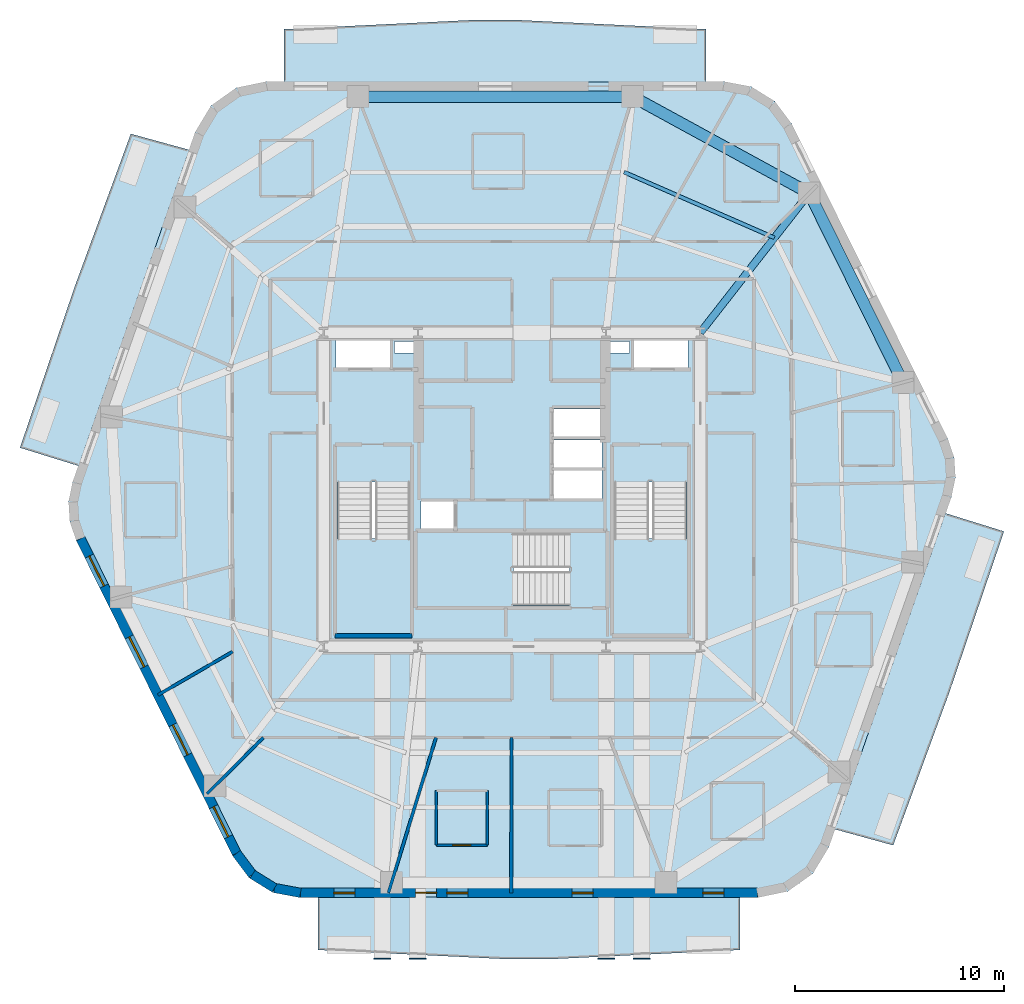
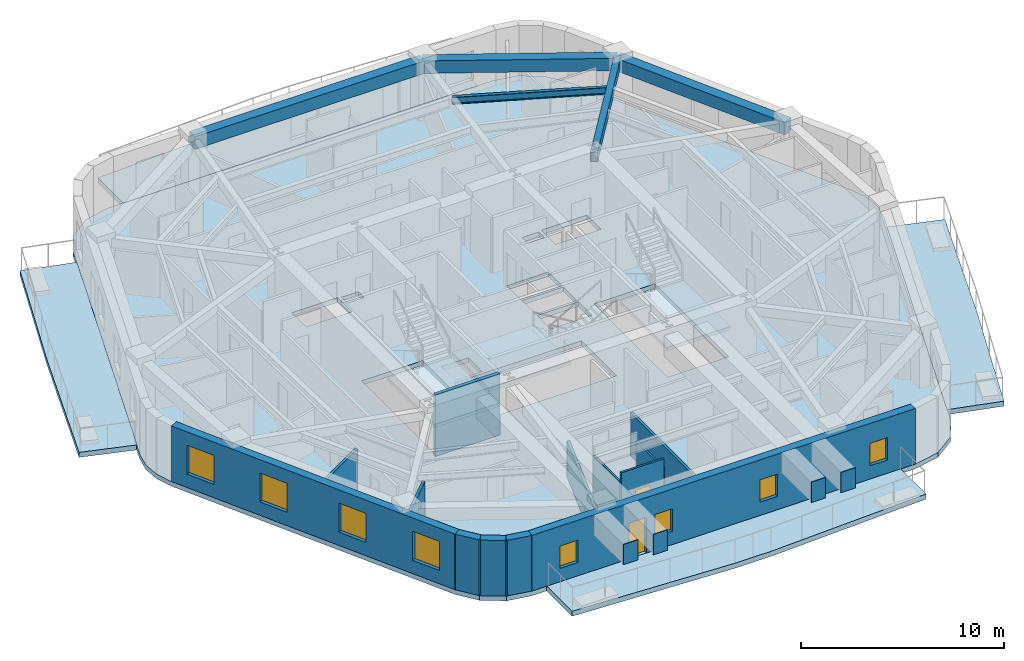
# One storey, part 2 of 11: 13 walls, 8 slabs, 8 windows, 5 beams, 4 plates, 2 doors, 10 openings, 3 elements without a shape of their own.
"""IFC4 building model written with IfcOpenShell, lengths in metres."""

import ifcopenshell
import ifcopenshell.guid

model = None  # the IFC model being written
_history = None  # IfcOwnerHistory: only IFC2X3 demands one
_inside = {}  # id of a spatial element -> (the spatial element, [elements in it])
_under = {}  # id of a project, library or spatial element -> (it, [spatial elements below it])
_declared = {}  # id of a project -> (the project, [libraries it declares])
_typed = {}  # id of a type object -> (the type object, [elements of that type])
_made_of = {}  # id of a material, layer set ... -> (it, [elements and type objects made of it])


def new_model(schema):
    """Start an empty IFC model of exactly this schema.

    Asked for "IFC4X3", IfcOpenShell would pick the latest addendum, in which some entities
    have other attributes; the version numbers below select the first issue.
    IFC2X3 requires an IfcOwnerHistory on every rooted entity: one is made here for all.
    """
    global model, _history
    if schema == "IFC4X3":
        model = ifcopenshell.file(schema_version=(4, 3, 0, 0))
    else:
        model = ifcopenshell.file(schema=schema)
    _inside.clear()
    _under.clear()
    _declared.clear()
    _typed.clear()
    _made_of.clear()
    _history = None
    if model.schema == "IFC2X3":
        org = make("IfcOrganization", Name="unknown")
        user = make(
            "IfcPersonAndOrganization",
            ThePerson=make("IfcPerson", FamilyName="unknown"),
            TheOrganization=org,
        )
        app = make(
            "IfcApplication",
            ApplicationDeveloper=org,
            Version="unknown",
            ApplicationFullName="unknown",
            ApplicationIdentifier="unknown",
        )
        _history = make(
            "IfcOwnerHistory",
            OwningUser=user,
            OwningApplication=app,
            ChangeAction="ADDED",
            CreationDate=0,
        )
    return model


def make(cls, **values):
    """One entity of the class cls with the attributes given. An attribute that is None is left unset."""
    return model.create_entity(
        cls, **{name: value for name, value in values.items() if value is not None}
    )


def rooted(cls, **values):
    """An entity with a GlobalId (a new one), such as an element, a storey or a relation."""
    return make(cls, GlobalId=ifcopenshell.guid.new(), OwnerHistory=_history, **values)


def si_unit(unit_type, name, prefix=None):
    """IfcSIUnit, for example si_unit("LENGTHUNIT", "METRE", prefix="MILLI")."""
    return make("IfcSIUnit", UnitType=unit_type, Prefix=prefix, Name=name)


def assignment(units):
    """IfcUnitAssignment: the units of a project."""
    return None if units is None else make("IfcUnitAssignment", Units=units)


def point(xyz):
    """IfcCartesianPoint."""
    return None if xyz is None else make("IfcCartesianPoint", Coordinates=xyz)


def direction(xyz):
    """IfcDirection."""
    return None if xyz is None else make("IfcDirection", DirectionRatios=xyz)


def frame(location, z_axis=None, x_axis=None):
    """IfcAxis2Placement3D, a coordinate frame: its origin and axes. An axis left out is left unset."""
    return make(
        "IfcAxis2Placement3D",
        Location=point(location),
        Axis=direction(z_axis),
        RefDirection=direction(x_axis),
    )


def frame_2d(location, x_axis=None):
    """IfcAxis2Placement2D, a coordinate frame in the plane: its origin and x axis."""
    return make(
        "IfcAxis2Placement2D", Location=point(location), RefDirection=direction(x_axis)
    )


def origin():
    """The frame at (0, 0, 0) with its axes left unset."""
    return frame((0.0, 0.0, 0.0))


def origin_2d():
    """The frame at (0, 0) in the plane with its x axis left unset."""
    return frame_2d((0.0, 0.0))


def place(relative_to, where):
    """IfcLocalPlacement: puts the frame where relative to a parent placement (None: the world)."""
    return make(
        "IfcLocalPlacement", PlacementRelTo=relative_to, RelativePlacement=where
    )


def context(
    kind, dimensions, precision=None, world=None, true_north=None, identifier=None
):
    """IfcGeometricRepresentationContext, for example the 3D "Model" context."""
    return make(
        "IfcGeometricRepresentationContext",
        ContextIdentifier=identifier,
        ContextType=kind,
        CoordinateSpaceDimension=dimensions,
        Precision=precision,
        WorldCoordinateSystem=world,
        TrueNorth=true_north,
    )


def subcontext(parent, identifier, kind, view, scale=None):
    """IfcGeometricRepresentationSubContext, for example "Body" below "Model"."""
    return make(
        "IfcGeometricRepresentationSubContext",
        ContextIdentifier=identifier,
        ContextType=kind,
        ParentContext=parent,
        TargetScale=scale,
        TargetView=view,
    )


def project(units=None, contexts=None):
    """IfcProject with its units and contexts."""
    return rooted(
        "IfcProject",
        Name="project",
        RepresentationContexts=contexts,
        UnitsInContext=assignment(units),
    )


def spatial(cls, under=None, at=None, **own):
    """A site, building, storey or space (cls), placed at a placement, below another one or the project."""
    s = rooted(cls, ObjectPlacement=at, **own)
    if under is not None:
        _under.setdefault(under.id(), (under, []))[1].append(s)
    return s


def polyline(points):
    """IfcPolyline through the points."""
    return make("IfcPolyline", Points=[point(p) for p in points])


def profile(cls, at=None, kind="AREA", **sizes):
    """A parametric profile (cls). Its sizes go by their IFC names, for example OverallWidth=200.0."""
    return make(cls, ProfileType=kind, Position=at, **sizes)


def rectangle(**sizes):
    """IfcRectangleProfileDef."""
    return profile("IfcRectangleProfileDef", **sizes)


def i_section(**sizes):
    """IfcIShapeProfileDef."""
    return profile("IfcIShapeProfileDef", **sizes)


def outline(outer, holes=None, kind="AREA"):
    """IfcArbitraryClosedProfileDef: a profile drawn as a closed curve; with holes, ...WithVoids."""
    if holes is None:
        return make("IfcArbitraryClosedProfileDef", ProfileType=kind, OuterCurve=outer)
    return make(
        "IfcArbitraryProfileDefWithVoids",
        ProfileType=kind,
        OuterCurve=outer,
        InnerCurves=holes,
    )


def extrude(swept, where, along, depth):
    """IfcExtrudedAreaSolid: the profile swept, set in the frame where, extruded along a direction by depth."""
    return make(
        "IfcExtrudedAreaSolid",
        SweptArea=swept,
        Position=where,
        ExtrudedDirection=direction(along),
        Depth=depth,
    )


def shape(context_of_items, identifier, shape_type, items):
    """IfcShapeRepresentation: the items that make up one representation, for example the "Body"."""
    return make(
        "IfcShapeRepresentation",
        ContextOfItems=context_of_items,
        RepresentationIdentifier=identifier,
        RepresentationType=shape_type,
        Items=items,
    )


def material(Name=None, Category=None):
    """IfcMaterial."""
    return make("IfcMaterial", Name=Name, Category=Category)


def layer(
    of_material, thickness, ventilated=None, Name=None, Category=None, Priority=None
):
    """IfcMaterialLayer: one layer of a wall or slab, of a material (None: an air gap)."""
    return make(
        "IfcMaterialLayer",
        Material=of_material,
        LayerThickness=thickness,
        IsVentilated=ventilated,
        Name=Name,
        Category=Category,
        Priority=Priority,
    )


def layer_set(layers, Name=None):
    """IfcMaterialLayerSet."""
    return make("IfcMaterialLayerSet", MaterialLayers=layers, LayerSetName=Name)


def material_profile(
    of_material, cross_section, Name=None, Category=None, Priority=None
):
    """IfcMaterialProfile: a cross section and its material."""
    return make(
        "IfcMaterialProfile",
        Name=Name,
        Material=of_material,
        Profile=cross_section,
        Priority=Priority,
        Category=Category,
    )


def profile_set(profiles, Name=None, composite=None):
    """IfcMaterialProfileSet."""
    return make(
        "IfcMaterialProfileSet",
        Name=Name,
        MaterialProfiles=profiles,
        CompositeProfile=composite,
    )


def made_of(thing, what):
    """Note that an element or type object is made of a material, layer set ...; save() writes the relation."""
    if what is not None:
        _made_of.setdefault(what.id(), (what, []))[1].append(thing)
    return thing


def type_object(cls, material=None, **own):
    """A type object (cls), such as IfcWallType, which elements share."""
    return made_of(rooted(cls, **own), material)


def element(
    cls,
    number,
    at=None,
    inside=None,
    cuts=None,
    type_object=None,
    material=None,
    context=None,
    identifier="Body",
    shape_type=None,
    held_by="IfcProductDefinitionShape",
    body=None,
    shapes=None,
    **own,
):
    """One element of the class cls, such as IfcWall. Its Tag is "e" and its number.

    at: its placement. inside: the storey or other place that contains it. cuts: it is an
    opening in that element (IfcRelVoidsElement). A single representation is given by context,
    identifier, shape_type and body (its items); several are given by shapes. held_by: the class
    of the entity that holds the representations. save() writes the other relations.
    """
    e = rooted(cls, Tag="e%d" % number, ObjectPlacement=at, **own)
    if body is not None:
        shapes = [shape(context, identifier, shape_type, body)]
    if shapes is not None:
        e.Representation = make(held_by, Representations=shapes)
    if inside is not None:
        _inside.setdefault(inside.id(), (inside, []))[1].append(e)
    if cuts is not None:
        rooted(
            "IfcRelVoidsElement", RelatingBuildingElement=cuts, RelatedOpeningElement=e
        )
    if type_object is not None:
        _typed.setdefault(type_object.id(), (type_object, []))[1].append(e)
    return made_of(e, material)


def fill(opening, filler):
    """IfcRelFillsElement: the door or window that sits in an opening."""
    return rooted(
        "IfcRelFillsElement",
        RelatingOpeningElement=opening,
        RelatedBuildingElement=filler,
    )


def aggregate(whole, parts):
    """IfcRelAggregates: a whole, such as a stair, and the parts it consists of."""
    return rooted("IfcRelAggregates", RelatingObject=whole, RelatedObjects=parts)


def save(model, path):
    """Write the relations noted so far, then the file.

    IfcRelAggregates (storeys below a building ...), IfcRelContainedInSpatialStructure (elements
    in a storey), IfcRelDefinesByType, IfcRelAssociatesMaterial and IfcRelDeclares: one each for
    every whole, place, type object, material and project.
    """
    for whole, parts in _under.values():
        aggregate(whole, parts)
    for where, things in _inside.values():
        rooted(
            "IfcRelContainedInSpatialStructure",
            RelatedElements=things,
            RelatingStructure=where,
        )
    for kind, things in _typed.values():
        rooted("IfcRelDefinesByType", RelatedObjects=things, RelatingType=kind)
    for what, things in _made_of.values():
        rooted("IfcRelAssociatesMaterial", RelatedObjects=things, RelatingMaterial=what)
    for by, libraries in _declared.values():
        rooted("IfcRelDeclares", RelatingContext=by, RelatedDefinitions=libraries)
    model.write(path)


model = new_model("IFC4")

# Units and contexts
model_context = context("Model", 3, precision=1e-05, world=origin(), true_north=direction((0.0, 1.0)))
body_context = subcontext(model_context, "Body", "Model", "MODEL_VIEW")
ifc_project = project(units=[si_unit("LENGTHUNIT", "METRE"), si_unit("AREAUNIT", "SQUARE_METRE"), si_unit("VOLUMEUNIT", "CUBIC_METRE"), si_unit("PLANEANGLEUNIT", "RADIAN"), si_unit("MASSUNIT", "GRAM", prefix="KILO")], contexts=[model_context])

# Site, building, storey
site_placement = place(None, origin())
site = spatial("IfcSite", under=ifc_project, at=site_placement, CompositionType="ELEMENT")
building_placement = place(site_placement, origin())
building = spatial("IfcBuilding", under=site, at=building_placement, Name="Kilnhurst Terrace Hotel", CompositionType="ELEMENT")
storey_placement = place(building_placement, frame((0.0, 0.0, 197.800048828125)))
storey = spatial("IfcBuildingStorey", under=building, at=storey_placement, Name="L49", CompositionType="ELEMENT", Elevation=197.800048828125)

# Beams
ifc_material_1 = material(Name="Concrete C50/60", Category="concrete")
ifc_material_profile_1 = material_profile(ifc_material_1, rectangle(XDim=0.35009765625, YDim=0.550048828125, at=origin_2d()), Name="RC350X550")
ifc_profile_set_1 = profile_set([ifc_material_profile_1], Name="Concrete C50/60")
beam_type_1 = type_object("IfcBeamType", Name="BM-RAD-350X550", PredefinedType="BEAM", material=ifc_profile_set_1)
beam_1_placement = place(storey_placement, frame((9.0, 7.5, 3.074951171875), z_axis=(0.615370616457, 0.78823791104, 0.0), x_axis=(-0.78823791104, 0.615370616457, 0.0)))
element("IfcBeam", 1, at=beam_1_placement, inside=storey, type_object=beam_type_1, Name="L49 Radial Floor Beam 6", PredefinedType="BEAM", context=body_context, shape_type="SweptSolid", body=[
    extrude(rectangle(XDim=0.35009765625, YDim=0.550048828125, at=origin_2d()), origin(), (0.0, 0.0, 1.0), 8.456787109375),
])
ifc_material_profile_2 = material_profile(ifc_material_1, rectangle(XDim=0.550048828125, YDim=0.75, at=origin_2d()), Name="RC550X750")
ifc_profile_set_2 = profile_set([ifc_material_profile_2], Name="Concrete C50/60")
beam_type_2 = type_object("IfcBeamType", Name="BM-SPN-550X750", PredefinedType="SPANDREL", material=ifc_profile_set_2)
beam_2_placement = place(storey_placement, frame((18.68701171875, 5.1240234375, 2.974853515625), z_axis=(-0.444192032261, 0.895931603682, 0.0), x_axis=(-0.895931603682, -0.444192032261, 0.0)))
element("IfcBeam", 2, at=beam_2_placement, inside=storey, type_object=beam_type_2, Name="L49 Perimeter Spandrel Beam 5", PredefinedType="SPANDREL", context=body_context, shape_type="SweptSolid", body=[
    extrude(rectangle(XDim=0.550048828125, YDim=0.75, at=origin_2d()), origin(), (0.0, 0.0, 1.0), 10.09228515625),
])
beam_3_placement = place(storey_placement, frame((14.2041015625, 14.166015625, 2.974853515625), z_axis=(-0.87766189723, 0.479280287672, 0.0), x_axis=(-0.479280287672, -0.87766189723, 0.0)))
element("IfcBeam", 3, at=beam_3_placement, inside=storey, type_object=beam_type_2, Name="L49 Perimeter Spandrel Beam 6", PredefinedType="SPANDREL", context=body_context, shape_type="SweptSolid", body=[
    extrude(rectangle(XDim=0.550048828125, YDim=0.75, at=origin_2d()), origin(), (0.0, 0.0, 1.0), 9.626953125),
])
beam_4_placement = place(storey_placement, frame((5.7548828125, 18.780029296875, 2.974853515625), z_axis=(-1.0, 0.0, 0.0), x_axis=(0.0, -1.0, 0.0)))
element("IfcBeam", 4, at=beam_4_placement, inside=storey, type_object=beam_type_2, Name="L49 Perimeter Spandrel Beam 7", PredefinedType="SPANDREL", context=body_context, shape_type="SweptSolid", body=[
    extrude(rectangle(XDim=0.550048828125, YDim=0.75, at=origin_2d()), origin(), (0.0, 0.0, 1.0), 13.123779296875),
])
ifc_material_2 = material(Name="Steel ASTM A992 Grade 50", Category="steel")
ifc_material_profile_3 = material_profile(ifc_material_2, i_section(OverallWidth=0.180908203125, OverallDepth=0.417236328125, WebThickness=0.010986328125, FlangeThickness=0.018310546875, at=origin_2d()), Name="W16X57")
ifc_profile_set_3 = profile_set([ifc_material_profile_3], Name="Steel ASTM A992 Grade 50")
beam_type_3 = type_object("IfcBeamType", Name="JST-STL-W16X57", PredefinedType="JOIST", material=ifc_profile_set_3)
beam_5_placement = place(storey_placement, frame((12.538818359375, 12.032958984375, 3.140869140625), z_axis=(-0.916443679054, 0.400163695407, 0.0), x_axis=(-0.400163695407, -0.916443679054, 0.0)))
element("IfcBeam", 5, at=beam_5_placement, inside=storey, type_object=beam_type_3, Name="L49 Secondary Floor Steel Joist OUT.6", PredefinedType="JOIST", context=body_context, shape_type="SweptSolid", body=[
    extrude(i_section(OverallWidth=0.180908203125, OverallDepth=0.417236328125, WebThickness=0.010986328125, FlangeThickness=0.018310546875, at=origin_2d()), origin(), (0.0, 0.0, 1.0), 7.84033203125),
])

# Plates
ifc_material_3 = material(Name="Steel ASTM A572 Grade 50", Category="steel")
ifc_layer_1 = layer(ifc_material_3, 0.050048828125, Name="Steel ASTM A572 Grade 50")
ifc_layer_set_1 = layer_set([ifc_layer_1], Name="Steel ASTM A572 Grade 50")
plate_type = type_object("IfcPlateType", Name="PLT-GUSSET-50", PredefinedType="USERDEFINED", material=ifc_layer_set_1)
for number, where, z_axis, x_axis, name in (
    (6, (-6.199951171875, -22.425048828125, 2.14013671875), (0.0, 0.0, 1.0), (1.0, 0.0, 0.0), "L50 Sky Pool Box Girder Welded End Cap Plate 1"),
    (7, (-4.5, -22.425048828125, 2.14013671875), (0.0, 0.0, 1.0), (1.0, 0.0, 0.0), "L50 Sky Pool Box Girder Welded End Cap Plate 2"),
    (8, (4.5, -22.425048828125, 2.14013671875), (0.0, 0.0, 1.0), (1.0, 0.0, 0.0), "L50 Sky Pool Box Girder Welded End Cap Plate 3"),
    (9, (6.199951171875, -22.425048828125, 2.14013671875), (0.0, 0.0, 1.0), (1.0, 0.0, 0.0), "L50 Sky Pool Box Girder Welded End Cap Plate 4"),
):
    element("IfcPlate", number, at=place(storey_placement, frame(where, z_axis=z_axis, x_axis=x_axis)), inside=storey, type_object=plate_type, Name=name, ObjectType="GUSSET_PLATE", PredefinedType="USERDEFINED", context=body_context, shape_type="SweptSolid", body=[
        extrude(rectangle(XDim=0.820068359375, YDim=0.050048828125, at=origin_2d()), origin(), (0.0, 0.0, 1.0), 1.219970703125),
    ])

# Slabs
ifc_layer_2 = layer(ifc_material_1, 0.300048828125, Name="Concrete C50/60")
ifc_layer_set_2 = layer_set([ifc_layer_2], Name="Concrete C50/60")
slab_type_1 = type_object("IfcSlabType", Name="SLB-BAL-300", PredefinedType="FLOOR", material=ifc_layer_set_2)
slab_1_placement = place(storey_placement, frame((0.0, 0.0, -0.300048828125)))
element("IfcSlab", 10, at=slab_1_placement, inside=storey, type_object=slab_type_1, Name="L49 Cantilevered Planted Terrace Slab BAL-L1A", PredefinedType="FLOOR", context=body_context, shape_type="SweptSolid", body=[
    extrude(outline(polyline([(1.83642578125, -22.43994140625), (-0.221923828125, -22.43994140625), (-9.279296875, -22.0), (-9.279296875, -19.47998046875), (10.8935546875, -19.47998046875), (10.8935546875, -22.0), (1.83642578125, -22.43994140625)])), origin(), (0.0, 0.0, 1.0), 0.300048828125),
])
slab_2_placement = place(storey_placement, frame((0.0, 0.0, -0.300048828125)))
element("IfcSlab", 11, at=slab_2_placement, inside=storey, type_object=slab_type_1, Name="L49 Cantilevered Planted Terrace Slab BAL-L1B", PredefinedType="FLOOR", context=body_context, shape_type="SweptSolid", body=[
    extrude(outline(polyline([(18.216064453125, -17.0), (15.420654296875, -16.2314453125), (20.708251953125, -1.128662109375), (23.511962890625, -2.0), (20.892333984375, -9.7119140625), (18.216064453125, -17.0)])), origin(), (0.0, 0.0, 1.0), 0.300048828125),
])
slab_3_placement = place(storey_placement, frame((0.0, 0.0, -0.300048828125)))
element("IfcSlab", 12, at=slab_3_placement, inside=storey, type_object=slab_type_1, Name="L49 Cantilevered Planted Terrace Slab BAL-L2A", PredefinedType="FLOOR", context=body_context, shape_type="SweptSolid", body=[
    extrude(outline(polyline([(0.221923828125, 22.43994140625), (9.279296875, 22.0), (9.279296875, 19.47998046875), (-10.8935546875, 19.47998046875), (-10.8935546875, 22.0), (-1.83642578125, 22.43994140625), (0.221923828125, 22.43994140625)])), origin(), (0.0, 0.0, 1.0), 0.300048828125),
])
slab_4_placement = place(storey_placement, frame((0.0, 0.0, -0.300048828125)))
element("IfcSlab", 13, at=slab_4_placement, inside=storey, type_object=slab_type_1, Name="L49 Cantilevered Planted Terrace Slab BAL-L2B", PredefinedType="FLOOR", context=body_context, shape_type="SweptSolid", body=[
    extrude(outline(polyline([(-18.216064453125, 17.0), (-15.420654296875, 16.2314453125), (-20.708251953125, 1.128662109375), (-23.511962890625, 2.0), (-20.892333984375, 9.7119140625), (-18.216064453125, 17.0)])), origin(), (0.0, 0.0, 1.0), 0.300048828125),
])
ifc_layer_3 = layer(ifc_material_1, 0.280029296875, Name="Concrete C50/60")
ifc_layer_set_3 = layer_set([ifc_layer_3], Name="Concrete C50/60")
slab_type_2 = type_object("IfcSlabType", Name="SLB-FLR-280", PredefinedType="FLOOR", material=ifc_layer_set_3)
slab_5_placement = place(storey_placement, frame((0.0, 0.0, -0.280029296875)))
element("IfcSlab", 14, at=slab_5_placement, inside=storey, type_object=slab_type_2, Name="L49 Structural Floor Slab", PredefinedType="FLOOR", context=body_context, shape_type="SweptSolid", body=[
    extrude(outline(polyline([(-13.3544921875, -17.499267578125), (-12.5576171875, -18.5576171875), (-11.431640625, -19.256103515625), (-10.12939453125, -19.5), (11.74365234375, -19.5), (13.18310546875, -19.19970703125), (14.38232421875, -18.348876953125), (15.141357421875, -17.089599609375), (20.9990234375, -0.3583984375), (21.192138671875, 0.57568359375), (21.13330078125, 1.527587890625), (20.82666015625, 2.4306640625), (13.3544921875, 17.499267578125), (12.5576171875, 18.5576171875), (11.431640625, 19.256103515625), (10.12939453125, 19.5), (-11.74365234375, 19.5), (-13.18310546875, 19.19970703125), (-14.38232421875, 18.348876953125), (-15.141357421875, 17.089599609375), (-20.9990234375, 0.3583984375), (-21.192138671875, -0.57568359375), (-21.13330078125, -1.527587890625), (-20.82666015625, -2.4306640625), (-13.3544921875, -17.499267578125)]), holes=[polyline([(2.7548828125, -2.080078125), (2.7548828125, -5.550048828125), (-4.5, -5.550048828125), (-4.5, -2.080078125), (2.7548828125, -2.080078125)]), polyline([(-8.35009765625, 0.35498046875), (-4.8798828125, 0.35498046875), (-4.8798828125, -6.89990234375), (-8.35009765625, -6.89990234375), (-8.35009765625, 0.35498046875)]), polyline([(-2.800048828125, -1.89990234375), (-4.35009765625, -1.89990234375), (-4.35009765625, -0.550048828125), (-2.800048828125, -0.550048828125), (-2.800048828125, -1.89990234375)]), polyline([(1.949951171875, -0.429931640625), (1.949951171875, 0.89990234375), (4.300048828125, 0.89990234375), (4.300048828125, -0.429931640625), (1.949951171875, -0.429931640625)]), polyline([(-8.39990234375, 5.75), (-8.39990234375, 7.14990234375), (-5.800048828125, 7.14990234375), (-5.800048828125, 5.75), (-8.39990234375, 5.75)]), polyline([(-4.659912109375, 6.52001953125), (-5.6201171875, 6.52001953125), (-5.6201171875, 7.080078125), (-4.659912109375, 7.080078125), (-4.659912109375, 6.52001953125)]), polyline([(8.35009765625, 0.35498046875), (8.35009765625, -6.89990234375), (4.8798828125, -6.89990234375), (4.8798828125, 0.35498046875), (8.35009765625, 0.35498046875)]), polyline([(1.949951171875, 1.050048828125), (1.949951171875, 2.3798828125), (4.300048828125, 2.3798828125), (4.300048828125, 1.050048828125), (1.949951171875, 1.050048828125)]), polyline([(4.300048828125, 2.530029296875), (1.949951171875, 2.530029296875), (1.949951171875, 3.860107421875), (4.300048828125, 3.860107421875), (4.300048828125, 2.530029296875)]), polyline([(5.800048828125, 5.75), (5.800048828125, 7.14990234375), (8.39990234375, 7.14990234375), (8.39990234375, 5.75), (5.800048828125, 5.75)]), polyline([(4.659912109375, 6.52001953125), (4.659912109375, 7.080078125), (5.6201171875, 7.080078125), (5.6201171875, 6.52001953125), (4.659912109375, 6.52001953125)])]), origin(), (0.0, 0.0, 1.0), 0.280029296875),
])

# Stair, slab
stair_type = type_object("IfcStairType", Name="STR-CORE-1660", PredefinedType="HALF_TURN_STAIR", material=ifc_material_1)
stair_1_placement = place(storey_placement, origin())
stair_1 = element("IfcStair", 15, at=stair_1_placement, inside=storey, type_object=stair_type, Name="L49 ST-1", PredefinedType="HALF_TURN_STAIR")
ifc_layer_4 = layer(ifc_material_1, 0.199951171875, Name="Concrete C50/60")
ifc_layer_set_4 = layer_set([ifc_layer_4], Name="Concrete C50/60")
slab_type_3 = type_object("IfcSlabType", Name="SLB-ST-LND-200", PredefinedType="LANDING", material=ifc_layer_set_4)
slab_6_placement = place(storey_placement, frame((0.0, 0.0, 1.64990234375)))
slab_6 = element("IfcSlab", 16, at=slab_6_placement, type_object=slab_type_3, Name="ST-1 landing 1", PredefinedType="LANDING", context=body_context, shape_type="SweptSolid", body=[
    extrude(outline(polyline([(-8.429931640625, -2.330078125), (-4.800048828125, -2.330078125), (-4.800048828125, -6.97998046875), (-8.429931640625, -6.97998046875), (-8.429931640625, -2.330078125)])), origin(), (0.0, 0.0, 1.0), 0.199951171875),
])
aggregate(stair_1, [slab_6])

stair_2_placement = place(storey_placement, origin())
stair_2 = element("IfcStair", 17, at=stair_2_placement, inside=storey, type_object=stair_type, Name="L49 ST-2", PredefinedType="HALF_TURN_STAIR")
slab_7_placement = place(storey_placement, frame((0.0, 0.0, 1.64990234375)))
slab_7 = element("IfcSlab", 18, at=slab_7_placement, type_object=slab_type_3, Name="ST-2 landing 1", PredefinedType="LANDING", context=body_context, shape_type="SweptSolid", body=[
    extrude(outline(polyline([(4.800048828125, -2.330078125), (8.429931640625, -2.330078125), (8.429931640625, -6.97998046875), (4.800048828125, -6.97998046875), (4.800048828125, -2.330078125)])), origin(), (0.0, 0.0, 1.0), 0.199951171875),
])
aggregate(stair_2, [slab_7])

stair_3_placement = place(storey_placement, origin())
stair_3 = element("IfcStair", 19, at=stair_3_placement, inside=storey, type_object=stair_type, Name="L49 ST-3", PredefinedType="HALF_TURN_STAIR")
slab_8_placement = place(storey_placement, frame((0.0, 0.0, 1.64990234375)))
slab_8 = element("IfcSlab", 20, at=slab_8_placement, type_object=slab_type_3, Name="ST-3 landing 1", PredefinedType="LANDING", context=body_context, shape_type="SweptSolid", body=[
    extrude(outline(polyline([(0.070068359375, -2.0), (0.070068359375, -5.6298828125), (-4.580078125, -5.6298828125), (-4.580078125, -2.0), (0.070068359375, -2.0)])), origin(), (0.0, 0.0, 1.0), 0.199951171875),
])
aggregate(stair_3, [slab_8])

# Walls
ifc_material_4 = material(Name="Precast concrete C40/50", Category="concrete")
ifc_layer_5 = layer(ifc_material_4, 0.449951171875, Name="Precast concrete C40/50")
ifc_layer_set_5 = layer_set([ifc_layer_5], Name="Precast concrete C40/50")
wall_type_1 = type_object("IfcWallType", Name="WL-BRK-450", PredefinedType="SOLIDWALL", material=ifc_layer_set_5)
wall_1_placement = place(storey_placement, frame((-13.162353515625, -17.380615234375, 0.0), z_axis=(0.0, 0.0, 1.0), x_axis=(0.601515770517, -0.798860925205, 0.0)))
element("IfcWall", 21, at=wall_1_placement, inside=storey, type_object=wall_type_1, Name="L49 Rounded Corner Brick Wall C1.1", PredefinedType="SOLIDWALL", context=body_context, shape_type="SweptSolid", body=[
    extrude(rectangle(XDim=1.261962890625, YDim=0.449951171875, at=frame_2d((0.630859375, 0.0))), origin(), (0.0, 0.0, 1.0), 3.349853515625),
])
wall_2_placement = place(storey_placement, frame((-12.4033203125, -18.388671875, 0.0), z_axis=(0.0, 0.0, 1.0), x_axis=(0.849795170926, -0.527113049991, 0.0)))
element("IfcWall", 22, at=wall_2_placement, inside=storey, type_object=wall_type_1, Name="L49 Rounded Corner Brick Wall C1.2", PredefinedType="SOLIDWALL", context=body_context, shape_type="SweptSolid", body=[
    extrude(rectangle(XDim=1.24072265625, YDim=0.449951171875, at=frame_2d((0.620361328125, 0.0))), origin(), (0.0, 0.0, 1.0), 3.349853515625),
])
wall_3_placement = place(storey_placement, frame((-11.348876953125, -19.042724609375, 0.0), z_axis=(0.0, 0.0, 1.0), x_axis=(0.982931267051, -0.183973161772, 0.0)))
element("IfcWall", 23, at=wall_3_placement, inside=storey, type_object=wall_type_1, Name="L49 Rounded Corner Brick Wall C1.3", PredefinedType="SOLIDWALL", context=body_context, shape_type="SweptSolid", body=[
    extrude(rectangle(XDim=1.261962890625, YDim=0.449951171875, at=frame_2d((0.630859375, 0.0))), origin(), (0.0, 0.0, 1.0), 3.349853515625),
])

# Wall, openings, door, windows
wall_4_placement = place(storey_placement, frame((-10.1083984375, -19.27490234375, 0.0), z_axis=(0.0, 0.0, 1.0), x_axis=(1.0, 0.0, 0.0)))
wall_4 = element("IfcWall", 24, at=wall_4_placement, inside=storey, type_object=wall_type_1, Name="L49 Exterior Brick Facade Wall F1", PredefinedType="SOLIDWALL", context=body_context, shape_type="SweptSolid", body=[
    extrude(rectangle(XDim=21.828857421875, YDim=0.449951171875, at=frame_2d((10.91455078125, 0.0))), origin(), (0.0, 0.0, 1.0), 3.349853515625),
])
opening_1_placement = place(wall_4_placement, frame((5.5029296875, 0.0, 0.0)))
opening_1 = element("IfcOpeningElement", 25, at=opening_1_placement, cuts=wall_4, Name="Opening BD-1000", PredefinedType="OPENING", context=body_context, shape_type="SweptSolid", body=[
    extrude(rectangle(XDim=1.0, YDim=2.14990234375, at=frame_2d((0.5, 1.074951171875))), frame((0.0, 0.23486328125, 0.0), z_axis=(0.0, -1.0, 0.0), x_axis=(1.0, 0.0, 0.0)), (0.0, 0.0, 1.0), 0.469970703125),
])
opening_2_placement = place(wall_4_placement, frame((1.596923828125, 0.0, 0.800048828125)))
opening_2 = element("IfcOpeningElement", 26, at=opening_2_placement, cuts=wall_4, Name="Opening W-08B", PredefinedType="OPENING", context=body_context, shape_type="SweptSolid", body=[
    extrude(rectangle(XDim=1.0, YDim=1.35009765625, at=frame_2d((0.5, 0.675048828125))), frame((0.0, 0.23486328125, 0.0), z_axis=(0.0, -1.0, 0.0), x_axis=(1.0, 0.0, 0.0)), (0.0, 0.0, 1.0), 0.469970703125),
])
opening_3_placement = place(wall_4_placement, frame((7.001953125, 0.0, 0.800048828125)))
opening_3 = element("IfcOpeningElement", 27, at=opening_3_placement, cuts=wall_4, Name="Opening W-08B", PredefinedType="OPENING", context=body_context, shape_type="SweptSolid", body=[
    extrude(rectangle(XDim=1.0, YDim=1.35009765625, at=frame_2d((0.5, 0.675048828125))), frame((0.0, 0.23486328125, 0.0), z_axis=(0.0, -1.0, 0.0), x_axis=(1.0, 0.0, 0.0)), (0.0, 0.0, 1.0), 0.469970703125),
])
opening_4_placement = place(wall_4_placement, frame((12.98388671875, 0.0, 0.800048828125)))
opening_4 = element("IfcOpeningElement", 28, at=opening_4_placement, cuts=wall_4, Name="Opening W-08B", PredefinedType="OPENING", context=body_context, shape_type="SweptSolid", body=[
    extrude(rectangle(XDim=1.0, YDim=1.35009765625, at=frame_2d((0.5, 0.675048828125))), frame((0.0, 0.23486328125, 0.0), z_axis=(0.0, -1.0, 0.0), x_axis=(1.0, 0.0, 0.0)), (0.0, 0.0, 1.0), 0.469970703125),
])
opening_5_placement = place(wall_4_placement, frame((19.23291015625, 0.0, 0.800048828125)))
opening_5 = element("IfcOpeningElement", 29, at=opening_5_placement, cuts=wall_4, Name="Opening W-08B", PredefinedType="OPENING", context=body_context, shape_type="SweptSolid", body=[
    extrude(rectangle(XDim=1.0, YDim=1.35009765625, at=frame_2d((0.5, 0.675048828125))), frame((0.0, 0.23486328125, 0.0), z_axis=(0.0, -1.0, 0.0), x_axis=(1.0, 0.0, 0.0)), (0.0, 0.0, 1.0), 0.469970703125),
])
ifc_material_5 = material(Name="Thermally Broken Bronze Aluminium Alloy 6063-T6 and Laminated Glass", Category="aluminium")
door_type_1 = type_object("IfcDoorType", Name="DR-EXT-BAL-1000", OperationType="NOTDEFINED", PredefinedType="DOOR", material=ifc_material_5)
door_1_placement = place(opening_1_placement, origin())
door_1 = element("IfcDoor", 30, at=door_1_placement, inside=storey, type_object=door_type_1, Name="L49 Planted Balcony Door BAL-L1A", OperationType="SINGLE_SWING_LEFT", OverallHeight=2.14990234375, OverallWidth=1.0, PredefinedType="DOOR", context=body_context, shape_type="SweptSolid", body=[
    extrude(rectangle(XDim=1.0, YDim=2.14990234375, at=frame_2d((0.5, 1.074951171875))), frame((0.0, 0.02490234375, 0.0), z_axis=(0.0, -1.0, 0.0), x_axis=(1.0, 0.0, 0.0)), (0.0, 0.0, 1.0), 0.050048828125),
])
fill(opening_1, door_1)
ifc_material_6 = material(Name="Thermally Broken Bronze Aluminium Alloy 6063-T6 and Low-E Glass", Category="aluminium")
window_type_1 = type_object("IfcWindowType", Name="WIN-1000X1350", PartitioningType="SINGLE_PANEL", PredefinedType="WINDOW", material=ifc_material_6)
window_1_placement = place(opening_2_placement, origin())
window_1 = element("IfcWindow", 31, at=window_1_placement, inside=storey, type_object=window_type_1, Name="L49 Deep-Set Masonry Window F1.1", OverallHeight=1.35009765625, OverallWidth=1.0, PartitioningType="SINGLE_PANEL", PredefinedType="WINDOW", context=body_context, shape_type="SweptSolid", body=[
    extrude(rectangle(XDim=1.0, YDim=1.35009765625, at=frame_2d((0.5, 0.675048828125))), frame((0.0, 0.030029296875, 0.0), z_axis=(0.0, -1.0, 0.0), x_axis=(1.0, 0.0, 0.0)), (0.0, 0.0, 1.0), 0.06005859375),
])
fill(opening_2, window_1)
window_2_placement = place(opening_3_placement, origin())
window_2 = element("IfcWindow", 32, at=window_2_placement, inside=storey, type_object=window_type_1, Name="L49 Deep-Set Masonry Window F1.2", OverallHeight=1.35009765625, OverallWidth=1.0, PartitioningType="SINGLE_PANEL", PredefinedType="WINDOW", context=body_context, shape_type="SweptSolid", body=[
    extrude(rectangle(XDim=1.0, YDim=1.35009765625, at=frame_2d((0.5, 0.675048828125))), frame((0.0, 0.030029296875, 0.0), z_axis=(0.0, -1.0, 0.0), x_axis=(1.0, 0.0, 0.0)), (0.0, 0.0, 1.0), 0.06005859375),
])
fill(opening_3, window_2)
window_3_placement = place(opening_4_placement, origin())
window_3 = element("IfcWindow", 33, at=window_3_placement, inside=storey, type_object=window_type_1, Name="L49 Deep-Set Masonry Window F1.3", OverallHeight=1.35009765625, OverallWidth=1.0, PartitioningType="SINGLE_PANEL", PredefinedType="WINDOW", context=body_context, shape_type="SweptSolid", body=[
    extrude(rectangle(XDim=1.0, YDim=1.35009765625, at=frame_2d((0.5, 0.675048828125))), frame((0.0, 0.030029296875, 0.0), z_axis=(0.0, -1.0, 0.0), x_axis=(1.0, 0.0, 0.0)), (0.0, 0.0, 1.0), 0.06005859375),
])
fill(opening_4, window_3)
window_4_placement = place(opening_5_placement, origin())
window_4 = element("IfcWindow", 34, at=window_4_placement, inside=storey, type_object=window_type_1, Name="L49 Deep-Set Masonry Window F1.4", OverallHeight=1.35009765625, OverallWidth=1.0, PartitioningType="SINGLE_PANEL", PredefinedType="WINDOW", context=body_context, shape_type="SweptSolid", body=[
    extrude(rectangle(XDim=1.0, YDim=1.35009765625, at=frame_2d((0.5, 0.675048828125))), frame((0.0, 0.030029296875, 0.0), z_axis=(0.0, -1.0, 0.0), x_axis=(1.0, 0.0, 0.0)), (0.0, 0.0, 1.0), 0.06005859375),
])
fill(opening_5, window_4)

# Wall, openings, windows
wall_5_placement = place(storey_placement, frame((-20.618408203125, -2.343994140625, 0.0), z_axis=(0.0, 0.0, 1.0), x_axis=(0.444243691097, -0.895905990002, 0.0)))
wall_5 = element("IfcWall", 35, at=wall_5_placement, inside=storey, type_object=wall_type_1, Name="L49 Exterior Brick Facade Wall F6", PredefinedType="SOLIDWALL", context=body_context, shape_type="SweptSolid", body=[
    extrude(rectangle(XDim=16.78369140625, YDim=0.449951171875, at=frame_2d((8.391845703125, 0.0))), origin(), (0.0, 0.0, 1.0), 3.349853515625),
])
opening_6_placement = place(wall_5_placement, frame((0.930908203125, 0.0, 0.800048828125)))
opening_6 = element("IfcOpeningElement", 36, at=opening_6_placement, cuts=wall_5, Name="Opening W-05", PredefinedType="OPENING", context=body_context, shape_type="SweptSolid", body=[
    extrude(rectangle(XDim=1.60009765625, YDim=1.75, at=frame_2d((0.800048828125, 0.875))), frame((0.0, 0.23486328125, 0.0), z_axis=(0.0, -1.0, 0.0), x_axis=(1.0, 0.0, 0.0)), (0.0, 0.0, 1.0), 0.469970703125),
])
opening_7_placement = place(wall_5_placement, frame((5.2451171875, 0.0, 0.800048828125)))
opening_7 = element("IfcOpeningElement", 37, at=opening_7_placement, cuts=wall_5, Name="Opening W-05", PredefinedType="OPENING", context=body_context, shape_type="SweptSolid", body=[
    extrude(rectangle(XDim=1.60009765625, YDim=1.75, at=frame_2d((0.800048828125, 0.875))), frame((0.0, 0.23486328125, 0.0), z_axis=(0.0, -1.0, 0.0), x_axis=(1.0, 0.0, 0.0)), (0.0, 0.0, 1.0), 0.469970703125),
])
opening_8_placement = place(wall_5_placement, frame((9.93603515625, 0.0, 0.800048828125)))
opening_8 = element("IfcOpeningElement", 38, at=opening_8_placement, cuts=wall_5, Name="Opening W-05", PredefinedType="OPENING", context=body_context, shape_type="SweptSolid", body=[
    extrude(rectangle(XDim=1.60009765625, YDim=1.75, at=frame_2d((0.800048828125, 0.875))), frame((0.0, 0.23486328125, 0.0), z_axis=(0.0, -1.0, 0.0), x_axis=(1.0, 0.0, 0.0)), (0.0, 0.0, 1.0), 0.469970703125),
])
opening_9_placement = place(wall_5_placement, frame((14.302978515625, 0.0, 0.800048828125)))
opening_9 = element("IfcOpeningElement", 39, at=opening_9_placement, cuts=wall_5, Name="Opening W-05", PredefinedType="OPENING", context=body_context, shape_type="SweptSolid", body=[
    extrude(rectangle(XDim=1.60009765625, YDim=1.75, at=frame_2d((0.800048828125, 0.875))), frame((0.0, 0.23486328125, 0.0), z_axis=(0.0, -1.0, 0.0), x_axis=(1.0, 0.0, 0.0)), (0.0, 0.0, 1.0), 0.469970703125),
])
window_type_2 = type_object("IfcWindowType", Name="WIN-1600X1750", PartitioningType="SINGLE_PANEL", PredefinedType="WINDOW", material=ifc_material_6)
window_5_placement = place(opening_6_placement, origin())
window_5 = element("IfcWindow", 40, at=window_5_placement, inside=storey, type_object=window_type_2, Name="L49 Deep-Set Masonry Window F6.1", OverallHeight=1.75, OverallWidth=1.60009765625, PartitioningType="SINGLE_PANEL", PredefinedType="WINDOW", context=body_context, shape_type="SweptSolid", body=[
    extrude(rectangle(XDim=1.60009765625, YDim=1.75, at=frame_2d((0.800048828125, 0.875))), frame((0.0, 0.030029296875, 0.0), z_axis=(0.0, -1.0, 0.0), x_axis=(1.0, 0.0, 0.0)), (0.0, 0.0, 1.0), 0.06005859375),
])
fill(opening_6, window_5)
window_6_placement = place(opening_7_placement, origin())
window_6 = element("IfcWindow", 41, at=window_6_placement, inside=storey, type_object=window_type_2, Name="L49 Deep-Set Masonry Window F6.2", OverallHeight=1.75, OverallWidth=1.60009765625, PartitioningType="SINGLE_PANEL", PredefinedType="WINDOW", context=body_context, shape_type="SweptSolid", body=[
    extrude(rectangle(XDim=1.60009765625, YDim=1.75, at=frame_2d((0.800048828125, 0.875))), frame((0.0, 0.030029296875, 0.0), z_axis=(0.0, -1.0, 0.0), x_axis=(1.0, 0.0, 0.0)), (0.0, 0.0, 1.0), 0.06005859375),
])
fill(opening_7, window_6)
window_7_placement = place(opening_8_placement, origin())
window_7 = element("IfcWindow", 42, at=window_7_placement, inside=storey, type_object=window_type_2, Name="L49 Deep-Set Masonry Window F6.3", OverallHeight=1.75, OverallWidth=1.60009765625, PartitioningType="SINGLE_PANEL", PredefinedType="WINDOW", context=body_context, shape_type="SweptSolid", body=[
    extrude(rectangle(XDim=1.60009765625, YDim=1.75, at=frame_2d((0.800048828125, 0.875))), frame((0.0, 0.030029296875, 0.0), z_axis=(0.0, -1.0, 0.0), x_axis=(1.0, 0.0, 0.0)), (0.0, 0.0, 1.0), 0.06005859375),
])
fill(opening_8, window_7)
window_8_placement = place(opening_9_placement, origin())
window_8 = element("IfcWindow", 43, at=window_8_placement, inside=storey, type_object=window_type_2, Name="L49 Deep-Set Masonry Window F6.4", OverallHeight=1.75, OverallWidth=1.60009765625, PartitioningType="SINGLE_PANEL", PredefinedType="WINDOW", context=body_context, shape_type="SweptSolid", body=[
    extrude(rectangle(XDim=1.60009765625, YDim=1.75, at=frame_2d((0.800048828125, 0.875))), frame((0.0, 0.030029296875, 0.0), z_axis=(0.0, -1.0, 0.0), x_axis=(1.0, 0.0, 0.0)), (0.0, 0.0, 1.0), 0.06005859375),
])
fill(opening_9, window_8)

# Walls
ifc_material_7 = material(Name="STC-58 Acoustic Twin-Frame Guestroom Demising Partition")
ifc_layer_6 = layer(ifc_material_7, 0.14990234375, Name="STC-58 Acoustic Twin-Frame Guestroom Demising Partition")
ifc_layer_set_6 = layer_set([ifc_layer_6], Name="STC-58 Acoustic Twin-Frame Guestroom Demising Partition")
wall_type_2 = type_object("IfcWallType", Name="WL-DEM-150", PredefinedType="PARTITIONING", material=ifc_layer_set_6)
wall_6_placement = place(storey_placement, frame((-13.35009765625, -7.74755859375, 0.0), z_axis=(0.0, 0.0, 1.0), x_axis=(-0.864894342526, -0.501953958313, 0.0)))
element("IfcWall", 44, at=wall_6_placement, inside=storey, type_object=wall_type_2, Name="L49 Interior Wall WL-L49-DEM-MID07-11-1", PredefinedType="PARTITIONING", context=body_context, shape_type="SweptSolid", body=[
    extrude(rectangle(XDim=4.1201171875, YDim=0.14990234375, at=frame_2d((2.06005859375, 0.0))), origin(), (0.0, 0.0, 1.0), 2.58984375),
])
wall_7_placement = place(storey_placement, frame((-11.8818359375, -11.85009765625, 0.0), z_axis=(0.0, 0.0, 1.0), x_axis=(-0.708037373639, -0.706174962407, 0.0)))
element("IfcWall", 45, at=wall_7_placement, inside=storey, type_object=wall_type_2, Name="L49 Interior Wall WL-L49-DEM-COL08-12-1", PredefinedType="PARTITIONING", context=body_context, shape_type="SweptSolid", body=[
    extrude(rectangle(XDim=3.801513671875, YDim=0.14990234375, at=frame_2d((1.90087890625, 0.0))), origin(), (0.0, 0.0, 1.0), 2.58984375),
])
wall_8_placement = place(storey_placement, frame((-3.63134765625, -11.85009765625, 0.0), z_axis=(0.0, 0.0, 1.0), x_axis=(-0.293007573338, -0.956110120209, 0.0)))
element("IfcWall", 46, at=wall_8_placement, inside=storey, type_object=wall_type_2, Name="L49 Interior Wall WL-L49-DEM-COL09-13-1", PredefinedType="PARTITIONING", context=body_context, shape_type="SweptSolid", body=[
    extrude(rectangle(XDim=7.765625, YDim=0.14990234375, at=frame_2d((3.8828125, 0.0))), origin(), (0.0, 0.0, 1.0), 2.139892578125),
])
wall_9_placement = place(storey_placement, frame((-0.023681640625, -11.85009765625, 0.0), z_axis=(0.0, 0.0, 1.0), x_axis=(-0.001972901592, -0.999998053828, 0.0)))
element("IfcWall", 47, at=wall_9_placement, inside=storey, type_object=wall_type_2, Name="L49 Interior Wall WL-L49-DEM-MID09-14-1", PredefinedType="PARTITIONING", context=body_context, shape_type="SweptSolid", body=[
    extrude(rectangle(XDim=7.4248046875, YDim=0.14990234375, at=frame_2d((3.71240234375, 0.0))), origin(), (0.0, 0.0, 1.0), 2.58984375),
])

# Wall, opening, door
ifc_material_8 = material(Name="120 mm Moisture-Resistant Tile-Backed Bathroom Partition")
ifc_layer_7 = layer(ifc_material_8, 0.1201171875, Name="120 mm Moisture-Resistant Tile-Backed Bathroom Partition")
ifc_layer_set_7 = layer_set([ifc_layer_7], Name="120 mm Moisture-Resistant Tile-Backed Bathroom Partition")
wall_type_3 = type_object("IfcWallType", Name="WL-PART-120", PredefinedType="PARTITIONING", material=ifc_layer_set_7)
wall_10_placement = place(storey_placement, frame((-3.614990234375, -16.992919921875, 0.0), z_axis=(0.0, 0.0, 1.0), x_axis=(1.0, 0.0, 0.0)))
wall_10 = element("IfcWall", 48, at=wall_10_placement, inside=storey, type_object=wall_type_3, Name="L49 Interior Wall WL-L49-BTH-13-1", PredefinedType="PARTITIONING", context=body_context, shape_type="SweptSolid", body=[
    extrude(rectangle(XDim=2.43994140625, YDim=0.1201171875, at=frame_2d((1.219970703125, 0.0))), origin(), (0.0, 0.0, 1.0), 3.349853515625),
])
opening_10_placement = place(wall_10_placement, frame((0.794921875, 0.0, 0.0)))
opening_10 = element("IfcOpeningElement", 49, at=opening_10_placement, cuts=wall_10, Name="Opening D-08A", PredefinedType="OPENING", context=body_context, shape_type="SweptSolid", body=[
    extrude(rectangle(XDim=0.85009765625, YDim=2.030029296875, at=frame_2d((0.425048828125, 1.01513671875))), frame((0.0, 0.070068359375, 0.0), z_axis=(0.0, -1.0, 0.0), x_axis=(1.0, 0.0, 0.0)), (0.0, 0.0, 1.0), 0.14013671875),
])
ifc_material_9 = material(Name="Moisture-Resistant Lacquered En-suite Bathroom Door")
door_type_2 = type_object("IfcDoorType", Name="DR-INT-850", OperationType="NOTDEFINED", PredefinedType="DOOR", material=ifc_material_9)
door_2_placement = place(opening_10_placement, origin())
door_2 = element("IfcDoor", 50, at=door_2_placement, inside=storey, type_object=door_type_2, Name="L49 En-suite Bathroom Door 13", OperationType="SINGLE_SWING_RIGHT", OverallHeight=2.030029296875, OverallWidth=0.85009765625, PredefinedType="DOOR", context=body_context, shape_type="SweptSolid", body=[
    extrude(rectangle(XDim=0.85009765625, YDim=2.030029296875, at=frame_2d((0.425048828125, 1.01513671875))), frame((0.0, 0.02490234375, 0.0), z_axis=(0.0, -1.0, 0.0), x_axis=(1.0, 0.0, 0.0)), (0.0, 0.0, 1.0), 0.050048828125),
])
fill(opening_10, door_2)

# Walls
for number, where, z_axis, x_axis, name in (
    (51, (-1.175048828125, -16.992919921875, 0.0), (0.0, 0.0, 1.0), (0.0, 1.0, 0.0), "L49 Interior Wall WL-L49-BTH-13-2"),
    (52, (-3.614990234375, -14.383056640625, 0.0), (0.0, 0.0, 1.0), (0.0, -1.0, 0.0), "L49 Interior Wall WL-L49-BTH-13-4"),
):
    element("IfcWall", number, at=place(storey_placement, frame(where, z_axis=z_axis, x_axis=x_axis)), inside=storey, type_object=wall_type_3, Name=name, PredefinedType="PARTITIONING", context=body_context, shape_type="SweptSolid", body=[
        extrude(rectangle(XDim=2.60986328125, YDim=0.1201171875, at=frame_2d((1.304931640625, 0.0))), origin(), (0.0, 0.0, 1.0), 2.79052734375),
    ])
ifc_layer_8 = layer(ifc_material_1, 0.199951171875, Name="Concrete C50/60")
ifc_layer_set_8 = layer_set([ifc_layer_8], Name="Concrete C50/60")
wall_type_4 = type_object("IfcWallType", Name="WL-STAIR-RC-200", PredefinedType="SHEAR", material=ifc_layer_set_8)
wall_11_placement = place(storey_placement, frame((-8.4580078125, -6.985107421875, 0.0), z_axis=(0.0, 0.0, 1.0), x_axis=(1.0, 0.0, 0.0)))
element("IfcWall", 53, at=wall_11_placement, inside=storey, type_object=wall_type_4, Name="L49 Structural Stair Shaft Wall WL-L49-ST1-S", PredefinedType="SHEAR", context=body_context, shape_type="SweptSolid", body=[
    extrude(rectangle(XDim=3.68603515625, YDim=0.199951171875, at=frame_2d((1.843017578125, 0.0))), origin(), (0.0, 0.0, 1.0), 3.699951171875),
])

save(model, "model.ifc")
